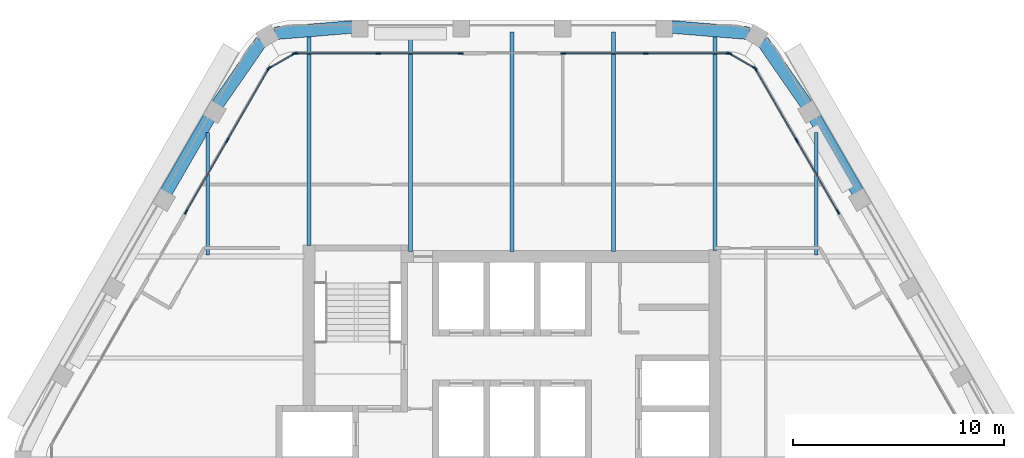
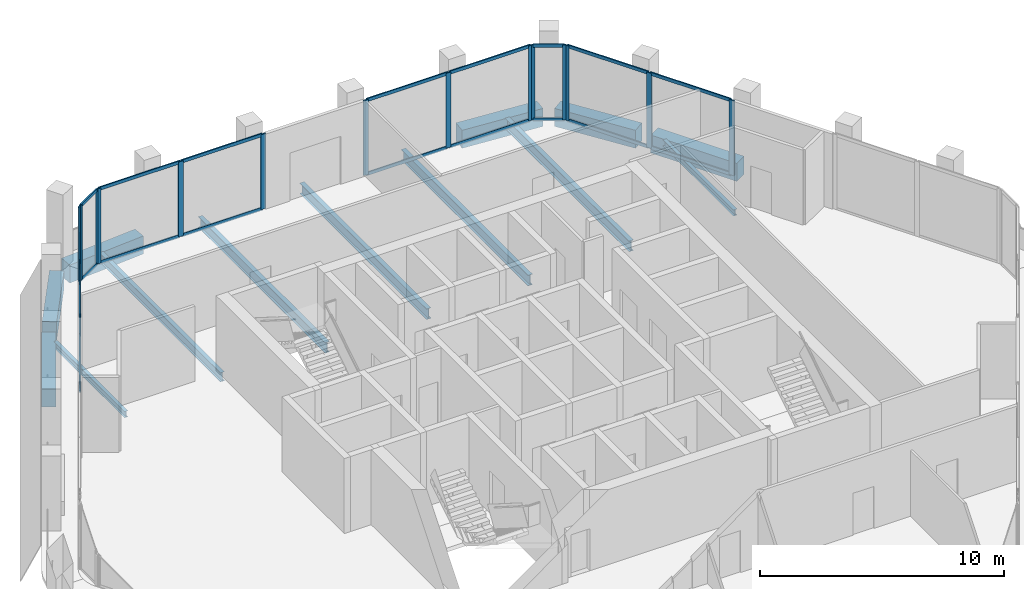
# One storey, part 5 of 13: 36 members, 13 beams, 6 elements without a shape of their own.
"""IFC4 building model written with IfcOpenShell, lengths in metres."""

from ifc_helpers import new_model, si_unit, direction, frame, origin, origin_2d, place, context, subcontext, project, spatial, rectangle, i_section, extrude, material, material_profile, profile_set, type_object, element, aggregate, save


model = new_model("IFC4")

# Units and contexts
model_context = context("Model", 3, precision=1e-05, world=origin(), true_north=direction((0.0, 1.0)))
body_context = subcontext(model_context, "Body", "Model", "MODEL_VIEW")
ifc_project = project(units=[si_unit("LENGTHUNIT", "METRE"), si_unit("AREAUNIT", "SQUARE_METRE"), si_unit("VOLUMEUNIT", "CUBIC_METRE"), si_unit("PLANEANGLEUNIT", "RADIAN"), si_unit("MASSUNIT", "GRAM", prefix="KILO")], contexts=[model_context])

# Site, building, storey
site_placement = place(None, origin())
site = spatial("IfcSite", under=ifc_project, at=site_placement, CompositionType="ELEMENT")
building_placement = place(site_placement, origin())
building = spatial("IfcBuilding", under=site, at=building_placement, Name="Kolab Exchange Tower", CompositionType="ELEMENT")
storey_placement = place(building_placement, frame((0.0, 0.0, 273.5)))
storey = spatial("IfcBuildingStorey", under=building, at=storey_placement, Name="L61", CompositionType="ELEMENT", Elevation=273.5)

# Beams
ifc_material_1 = material(Name="Steel S355", Category="steel")
ifc_material_profile_1 = material_profile(ifc_material_1, i_section(OverallWidth=0.1650390625, OverallDepth=0.31005859375, WebThickness=0.005859375, FlangeThickness=0.009765625, at=origin_2d()), Name="W310X39")
ifc_profile_set_1 = profile_set([ifc_material_profile_1], Name="Steel S355")
beam_type_1 = type_object("IfcBeamType", Name="FLOOR BEAM W310X39", PredefinedType="BEAM", material=ifc_profile_set_1)
for number, where, z_axis, x_axis, name in (
    (1, (-14.39990234375, 9.674072265625, -0.304931640625), (0.0, 1.0, 0.0), (-1.0, 0.0, 0.0), "beam/L61/fr/004"),
    (2, (14.39990234375, 9.674072265625, -0.304931640625), (0.0, 1.0, 0.0), (-1.0, 0.0, 0.0), "beam/L61/fr/019"),
):
    element("IfcBeam", number, at=place(storey_placement, frame(where, z_axis=z_axis, x_axis=x_axis)), inside=storey, type_object=beam_type_1, Name=name, PredefinedType="BEAM", context=body_context, shape_type="SweptSolid", body=[
        extrude(i_section(OverallWidth=0.1650390625, OverallDepth=0.31005859375, WebThickness=0.005859375, FlangeThickness=0.009765625, at=origin_2d()), origin(), (0.0, 0.0, 1.0), 5.793701171875),
    ])
ifc_material_profile_2 = material_profile(ifc_material_1, i_section(OverallWidth=0.18994140625, OverallDepth=0.45703125, WebThickness=0.009033203125, FlangeThickness=0.014404296875, at=origin_2d()), Name="W460X74")
ifc_profile_set_2 = profile_set([ifc_material_profile_2], Name="Steel S355")
beam_type_2 = type_object("IfcBeamType", Name="FLOOR BEAM W460X74", PredefinedType="BEAM", material=ifc_profile_set_2)
beam_1_placement = place(storey_placement, frame((-9.60009765625, 10.110107421875, -0.37841796875), z_axis=(0.0, 1.0, 0.0), x_axis=(-1.0, 0.0, 0.0)))
element("IfcBeam", 3, at=beam_1_placement, inside=storey, type_object=beam_type_2, Name="beam/L61/fr/006", PredefinedType="BEAM", context=body_context, shape_type="SweptSolid", body=[
    extrude(i_section(OverallWidth=0.18994140625, OverallDepth=0.45703125, WebThickness=0.009033203125, FlangeThickness=0.014404296875, at=origin_2d()), origin(), (0.0, 0.0, 1.0), 9.9169921875),
])
ifc_material_profile_3 = material_profile(ifc_material_1, i_section(OverallWidth=0.208984375, OverallDepth=0.532958984375, WebThickness=0.01025390625, FlangeThickness=0.015625, at=origin_2d()), Name="W530X92")
ifc_profile_set_3 = profile_set([ifc_material_profile_3], Name="Steel S355")
beam_type_3 = type_object("IfcBeamType", Name="FLOOR BEAM W530X92", PredefinedType="BEAM", material=ifc_profile_set_3)
for number, where, z_axis, x_axis, name in (
    (4, (-4.800048828125, 9.8349609375, -0.41650390625), (0.0, 1.0, 0.0), (-1.0, 0.0, 0.0), "beam/L61/fr/008"),
    (5, (0.0, 9.8349609375, -0.41650390625), (0.0, 1.0, 0.0), (-1.0, 0.0, 0.0), "beam/L61/fr/010"),
    (6, (4.800048828125, 9.8349609375, -0.41650390625), (0.0, 1.0, 0.0), (-1.0, 0.0, 0.0), "beam/L61/fr/012"),
):
    element("IfcBeam", number, at=place(storey_placement, frame(where, z_axis=z_axis, x_axis=x_axis)), inside=storey, type_object=beam_type_3, Name=name, PredefinedType="BEAM", context=body_context, shape_type="SweptSolid", body=[
        extrude(i_section(OverallWidth=0.208984375, OverallDepth=0.532958984375, WebThickness=0.01025390625, FlangeThickness=0.015625, at=origin_2d()), origin(), (0.0, 0.0, 1.0), 10.3896484375),
    ])
beam_2_placement = place(storey_placement, frame((9.60009765625, 9.885009765625, -0.41650390625), z_axis=(0.0, 1.0, 0.0), x_axis=(-1.0, 0.0, 0.0)))
element("IfcBeam", 7, at=beam_2_placement, inside=storey, type_object=beam_type_3, Name="beam/L61/fr/014", PredefinedType="BEAM", context=body_context, shape_type="SweptSolid", body=[
    extrude(i_section(OverallWidth=0.208984375, OverallDepth=0.532958984375, WebThickness=0.01025390625, FlangeThickness=0.015625, at=origin_2d()), origin(), (0.0, 0.0, 1.0), 10.14208984375),
])
ifc_material_2 = material(Name="Concrete C50/60", Category="concrete")
ifc_material_profile_4 = material_profile(ifc_material_2, rectangle(XDim=0.60009765625, YDim=0.89990234375, at=origin_2d()), Name="RC600X900")
ifc_profile_set_4 = profile_set([ifc_material_profile_4], Name="Concrete C50/60")
beam_type_4 = type_object("IfcBeamType", Name="SPANDREL BEAM 600X900 C50/60", PredefinedType="BEAM", material=ifc_profile_set_4)
for number, where, z_axis, x_axis, name in (
    (8, (-11.216796875, 20.15576171875, -0.60009765625), (0.996666751878, 0.081580547323, 0.0), (-0.081580547323, 0.996666751878, 0.0), "beam/L61/sp/F1-01"),
    (9, (7.56005859375, 20.455078125, -0.60009765625), (0.996666751878, -0.081580547323, 0.0), (0.081580547323, 0.996666751878, 0.0), "beam/L61/sp/F1-05"),
    (10, (11.846923828125, 19.7919921875, -0.60009765625), (0.569005808573, -0.822333502789, 0.0), (0.822333502789, 0.569005808573, 0.0), "beam/L61/sp/F2-01"),
):
    element("IfcBeam", number, at=place(storey_placement, frame(where, z_axis=z_axis, x_axis=x_axis)), inside=storey, type_object=beam_type_4, Name=name, PredefinedType="BEAM", context=body_context, shape_type="SweptSolid", body=[
        extrude(rectangle(XDim=0.60009765625, YDim=0.89990234375, at=origin_2d()), origin(), (0.0, 0.0, 1.0), 3.6689453125),
    ])
for number, where, z_axis, x_axis, name in (
    (11, (14.3203125, 16.166015625, -0.60009765625), (0.499955548806, -0.866051066172, 0.0), (0.866051066172, 0.499955548806, 0.0), "beam/L61/sp/F2-02"),
    (12, (-16.360107421875, 12.632568359375, -0.60009765625), (0.499955548806, 0.866051066172, 0.0), (-0.866051066172, 0.499955548806, 0.0), "beam/L61/sp/F6-04"),
):
    element("IfcBeam", number, at=place(storey_placement, frame(where, z_axis=z_axis, x_axis=x_axis)), inside=storey, type_object=beam_type_4, Name=name, PredefinedType="BEAM", context=body_context, shape_type="SweptSolid", body=[
        extrude(rectangle(XDim=0.60009765625, YDim=0.89990234375, at=origin_2d()), origin(), (0.0, 0.0, 1.0), 4.079833984375),
    ])
beam_3_placement = place(storey_placement, frame((-13.9345703125, 16.77490234375, -0.60009765625), z_axis=(0.569005808573, 0.822333502789, 0.0), x_axis=(-0.822333502789, 0.569005808573, 0.0)))
element("IfcBeam", 13, at=beam_3_placement, inside=storey, type_object=beam_type_4, Name="beam/L61/sp/F6-05", PredefinedType="BEAM", context=body_context, shape_type="SweptSolid", body=[
    extrude(rectangle(XDim=0.60009765625, YDim=0.89990234375, at=origin_2d()), origin(), (0.0, 0.0, 1.0), 3.6689453125),
])

# Curtain wall, members
ifc_material_3 = material(Name="Aluminium EN AW-6063 T6", Category="aluminium")
curtain_wall_type = type_object("IfcCurtainWallType", Name="UNITISED HIGH ZONE CURTAIN WALL", PredefinedType="NOTDEFINED", material=ifc_material_3)
curtain_wall_1_placement = place(storey_placement, origin())
curtain_wall_1 = element("IfcCurtainWall", 14, at=curtain_wall_1_placement, inside=storey, type_object=curtain_wall_type, Name="cw/L61/F1-1", PredefinedType="NOTDEFINED")
ifc_material_profile_5 = material_profile(ifc_material_3, rectangle(XDim=0.06005859375, YDim=0.239990234375, at=origin_2d()), Name="RECT 60X240")
ifc_profile_set_5 = profile_set([ifc_material_profile_5], Name="Aluminium EN AW-6063 T6")
member_type_1 = type_object("IfcMemberType", Name="UNITISED HIGH ZONE MULLION 60 X 240", PredefinedType="MULLION", material=ifc_profile_set_5)
member_1_placement = place(storey_placement, frame((-10.238037109375, 19.20458984375, 0.0), z_axis=(0.0, 0.0, 1.0), x_axis=(0.0, 1.0, 0.0)))
member_1 = element("IfcMember", 15, at=member_1_placement, type_object=member_type_1, Name="CW4 mullion 1", PredefinedType="MULLION", context=body_context, shape_type="SweptSolid", body=[
    extrude(rectangle(XDim=0.06005859375, YDim=0.239990234375, at=origin_2d()), origin(), (0.0, 0.0, 1.0), 3.75),
])
member_2_placement = place(storey_placement, frame((-6.333984375, 19.20458984375, 0.0), z_axis=(0.0, 0.0, 1.0), x_axis=(0.0, 1.0, 0.0)))
member_2 = element("IfcMember", 16, at=member_2_placement, type_object=member_type_1, Name="CW4 mullion 2", PredefinedType="MULLION", context=body_context, shape_type="SweptSolid", body=[
    extrude(rectangle(XDim=0.06005859375, YDim=0.239990234375, at=origin_2d()), origin(), (0.0, 0.0, 1.0), 3.75),
])
member_3_placement = place(storey_placement, frame((-2.429931640625, 19.20458984375, 0.0), z_axis=(0.0, 0.0, 1.0), x_axis=(0.0, 1.0, 0.0)))
member_3 = element("IfcMember", 17, at=member_3_placement, type_object=member_type_1, Name="CW4 mullion 3", PredefinedType="MULLION", context=body_context, shape_type="SweptSolid", body=[
    extrude(rectangle(XDim=0.06005859375, YDim=0.239990234375, at=origin_2d()), origin(), (0.0, 0.0, 1.0), 3.75),
])

curtain_wall_2_placement = place(storey_placement, origin())
curtain_wall_2 = element("IfcCurtainWall", 18, at=curtain_wall_2_placement, inside=storey, type_object=curtain_wall_type, Name="cw/L61/F1-2", PredefinedType="NOTDEFINED")
member_4_placement = place(storey_placement, frame((2.429931640625, 19.20458984375, 0.0), z_axis=(0.0, 0.0, 1.0), x_axis=(0.0, 1.0, 0.0)))
member_4 = element("IfcMember", 19, at=member_4_placement, type_object=member_type_1, Name="CW4 mullion 1", PredefinedType="MULLION", context=body_context, shape_type="SweptSolid", body=[
    extrude(rectangle(XDim=0.06005859375, YDim=0.239990234375, at=origin_2d()), origin(), (0.0, 0.0, 1.0), 3.75),
])
member_5_placement = place(storey_placement, frame((6.333984375, 19.20458984375, 0.0), z_axis=(0.0, 0.0, 1.0), x_axis=(0.0, 1.0, 0.0)))
member_5 = element("IfcMember", 20, at=member_5_placement, type_object=member_type_1, Name="CW4 mullion 2", PredefinedType="MULLION", context=body_context, shape_type="SweptSolid", body=[
    extrude(rectangle(XDim=0.06005859375, YDim=0.239990234375, at=origin_2d()), origin(), (0.0, 0.0, 1.0), 3.75),
])
member_6_placement = place(storey_placement, frame((10.238037109375, 19.20458984375, 0.0), z_axis=(0.0, 0.0, 1.0), x_axis=(0.0, 1.0, 0.0)))
member_6 = element("IfcMember", 21, at=member_6_placement, type_object=member_type_1, Name="CW4 mullion 3", PredefinedType="MULLION", context=body_context, shape_type="SweptSolid", body=[
    extrude(rectangle(XDim=0.06005859375, YDim=0.239990234375, at=origin_2d()), origin(), (0.0, 0.0, 1.0), 3.75),
])

curtain_wall_3_placement = place(storey_placement, origin())
curtain_wall_3 = element("IfcCurtainWall", 22, at=curtain_wall_3_placement, inside=storey, type_object=curtain_wall_type, Name="cw/L61/F2-1", PredefinedType="NOTDEFINED")
member_7_placement = place(storey_placement, frame((11.5126953125, 18.46875, 0.0), z_axis=(0.0, 0.0, 1.0), x_axis=(0.866025385493, 0.500000031681, 0.0)))
member_7 = element("IfcMember", 23, at=member_7_placement, type_object=member_type_1, Name="CW4 mullion 1", PredefinedType="MULLION", context=body_context, shape_type="SweptSolid", body=[
    extrude(rectangle(XDim=0.06005859375, YDim=0.239990234375, at=origin_2d()), origin(), (0.0, 0.0, 1.0), 3.75),
])
member_8_placement = place(storey_placement, frame((13.464599609375, 15.087646484375, 0.0), z_axis=(0.0, 0.0, 1.0), x_axis=(0.866025385493, 0.500000031681, 0.0)))
member_8 = element("IfcMember", 24, at=member_8_placement, type_object=member_type_1, Name="CW4 mullion 2", PredefinedType="MULLION", context=body_context, shape_type="SweptSolid", body=[
    extrude(rectangle(XDim=0.06005859375, YDim=0.239990234375, at=origin_2d()), origin(), (0.0, 0.0, 1.0), 3.75),
])
member_9_placement = place(storey_placement, frame((15.416748046875, 11.706787109375, 0.0), z_axis=(0.0, 0.0, 1.0), x_axis=(0.866025385493, 0.500000031681, 0.0)))
member_9 = element("IfcMember", 25, at=member_9_placement, type_object=member_type_1, Name="CW4 mullion 3", PredefinedType="MULLION", context=body_context, shape_type="SweptSolid", body=[
    extrude(rectangle(XDim=0.06005859375, YDim=0.239990234375, at=origin_2d()), origin(), (0.0, 0.0, 1.0), 3.75),
])

curtain_wall_4_placement = place(storey_placement, origin())
curtain_wall_4 = element("IfcCurtainWall", 26, at=curtain_wall_4_placement, inside=storey, type_object=curtain_wall_type, Name="cw/L61/F6-2", PredefinedType="NOTDEFINED")
member_10_placement = place(storey_placement, frame((-15.416748046875, 11.706787109375, 0.0), z_axis=(0.0, 0.0, 1.0), x_axis=(-0.866025385493, 0.500000031681, 0.0)))
member_10 = element("IfcMember", 27, at=member_10_placement, type_object=member_type_1, Name="CW4 mullion 1", PredefinedType="MULLION", context=body_context, shape_type="SweptSolid", body=[
    extrude(rectangle(XDim=0.06005859375, YDim=0.239990234375, at=origin_2d()), origin(), (0.0, 0.0, 1.0), 3.75),
])
member_11_placement = place(storey_placement, frame((-13.464599609375, 15.087646484375, 0.0), z_axis=(0.0, 0.0, 1.0), x_axis=(-0.866025385493, 0.500000031681, 0.0)))
member_11 = element("IfcMember", 28, at=member_11_placement, type_object=member_type_1, Name="CW4 mullion 2", PredefinedType="MULLION", context=body_context, shape_type="SweptSolid", body=[
    extrude(rectangle(XDim=0.06005859375, YDim=0.239990234375, at=origin_2d()), origin(), (0.0, 0.0, 1.0), 3.75),
])
member_12_placement = place(storey_placement, frame((-11.5126953125, 18.46875, 0.0), z_axis=(0.0, 0.0, 1.0), x_axis=(-0.866025385493, 0.500000031681, 0.0)))
member_12 = element("IfcMember", 29, at=member_12_placement, type_object=member_type_1, Name="CW4 mullion 3", PredefinedType="MULLION", context=body_context, shape_type="SweptSolid", body=[
    extrude(rectangle(XDim=0.06005859375, YDim=0.239990234375, at=origin_2d()), origin(), (0.0, 0.0, 1.0), 3.75),
])

curtain_wall_5_placement = place(storey_placement, origin())
curtain_wall_5 = element("IfcCurtainWall", 30, at=curtain_wall_5_placement, inside=storey, type_object=curtain_wall_type, Name="cw/L61/F1F2-corner", PredefinedType="NOTDEFINED")
member_13_placement = place(storey_placement, frame((10.2939453125, 19.189697265625, 0.0), z_axis=(0.0, 0.0, 1.0), x_axis=(0.50000002237, 0.866025390869, 0.0)))
member_13 = element("IfcMember", 31, at=member_13_placement, type_object=member_type_1, Name="CW4 mullion 1", PredefinedType="MULLION", context=body_context, shape_type="SweptSolid", body=[
    extrude(rectangle(XDim=0.06005859375, YDim=0.239990234375, at=origin_2d()), origin(), (0.0, 0.0, 1.0), 3.75),
])
member_14_placement = place(storey_placement, frame((11.4716796875, 18.509521484375, 0.0), z_axis=(0.0, 0.0, 1.0), x_axis=(0.50000002237, 0.866025390869, 0.0)))
member_14 = element("IfcMember", 32, at=member_14_placement, type_object=member_type_1, Name="CW4 mullion 2", PredefinedType="MULLION", context=body_context, shape_type="SweptSolid", body=[
    extrude(rectangle(XDim=0.06005859375, YDim=0.239990234375, at=origin_2d()), origin(), (0.0, 0.0, 1.0), 3.75),
])

curtain_wall_6_placement = place(storey_placement, origin())
curtain_wall_6 = element("IfcCurtainWall", 33, at=curtain_wall_6_placement, inside=storey, type_object=curtain_wall_type, Name="cw/L61/F6F1-corner", PredefinedType="NOTDEFINED")
member_15_placement = place(storey_placement, frame((-11.4716796875, 18.509521484375, 0.0), z_axis=(0.0, 0.0, 1.0), x_axis=(-0.50000002237, 0.866025390869, 0.0)))
member_15 = element("IfcMember", 34, at=member_15_placement, type_object=member_type_1, Name="CW4 mullion 1", PredefinedType="MULLION", context=body_context, shape_type="SweptSolid", body=[
    extrude(rectangle(XDim=0.06005859375, YDim=0.239990234375, at=origin_2d()), origin(), (0.0, 0.0, 1.0), 3.75),
])
member_16_placement = place(storey_placement, frame((-10.2939453125, 19.189697265625, 0.0), z_axis=(0.0, 0.0, 1.0), x_axis=(-0.50000002237, 0.866025390869, 0.0)))
member_16 = element("IfcMember", 35, at=member_16_placement, type_object=member_type_1, Name="CW4 mullion 2", PredefinedType="MULLION", context=body_context, shape_type="SweptSolid", body=[
    extrude(rectangle(XDim=0.06005859375, YDim=0.239990234375, at=origin_2d()), origin(), (0.0, 0.0, 1.0), 3.75),
])

# Member
ifc_material_profile_6 = material_profile(ifc_material_3, rectangle(XDim=0.06005859375, YDim=0.159912109375, at=origin_2d()), Name="RECT 60X160")
ifc_profile_set_6 = profile_set([ifc_material_profile_6], Name="Aluminium EN AW-6063 T6")
member_type_2 = type_object("IfcMemberType", Name="UNITISED HIGH ZONE TRANSOM 60 X 160", PredefinedType="USERDEFINED", material=ifc_profile_set_6)
member_17_placement = place(storey_placement, frame((-10.2080078125, 19.20458984375, 0.030029296875), z_axis=(1.0, 0.0, 0.0), x_axis=(0.0, 1.0, 0.0)))
member_17 = element("IfcMember", 36, at=member_17_placement, type_object=member_type_2, Name="CW4 transom 1.1", ObjectType="TRANSOM", PredefinedType="USERDEFINED", context=body_context, shape_type="SweptSolid", body=[
    extrude(rectangle(XDim=0.06005859375, YDim=0.159912109375, at=origin_2d()), origin(), (0.0, 0.0, 1.0), 3.843994140625),
])

member_18_placement = place(storey_placement, frame((-10.2080078125, 19.20458984375, 3.719970703125), z_axis=(1.0, 0.0, 0.0), x_axis=(0.0, 1.0, 0.0)))
member_18 = element("IfcMember", 37, at=member_18_placement, type_object=member_type_2, Name="CW4 transom 1.2", ObjectType="TRANSOM", PredefinedType="USERDEFINED", context=body_context, shape_type="SweptSolid", body=[
    extrude(rectangle(XDim=0.06005859375, YDim=0.159912109375, at=origin_2d()), origin(), (0.0, 0.0, 1.0), 3.843994140625),
])

member_19_placement = place(storey_placement, frame((-6.303955078125, 19.20458984375, 0.030029296875), z_axis=(1.0, 0.0, 0.0), x_axis=(0.0, 1.0, 0.0)))
member_19 = element("IfcMember", 38, at=member_19_placement, type_object=member_type_2, Name="CW4 transom 2.1", ObjectType="TRANSOM", PredefinedType="USERDEFINED", context=body_context, shape_type="SweptSolid", body=[
    extrude(rectangle(XDim=0.06005859375, YDim=0.159912109375, at=origin_2d()), origin(), (0.0, 0.0, 1.0), 3.843994140625),
])

member_20_placement = place(storey_placement, frame((-6.303955078125, 19.20458984375, 3.719970703125), z_axis=(1.0, 0.0, 0.0), x_axis=(0.0, 1.0, 0.0)))
member_20 = element("IfcMember", 39, at=member_20_placement, type_object=member_type_2, Name="CW4 transom 2.2", ObjectType="TRANSOM", PredefinedType="USERDEFINED", context=body_context, shape_type="SweptSolid", body=[
    extrude(rectangle(XDim=0.06005859375, YDim=0.159912109375, at=origin_2d()), origin(), (0.0, 0.0, 1.0), 3.843994140625),
])

aggregate(curtain_wall_1, [member_1, member_2, member_3, member_17, member_18, member_19, member_20])

member_21_placement = place(storey_placement, frame((2.4599609375, 19.20458984375, 0.030029296875), z_axis=(1.0, 0.0, 0.0), x_axis=(0.0, 1.0, 0.0)))
member_21 = element("IfcMember", 40, at=member_21_placement, type_object=member_type_2, Name="CW4 transom 1.1", ObjectType="TRANSOM", PredefinedType="USERDEFINED", context=body_context, shape_type="SweptSolid", body=[
    extrude(rectangle(XDim=0.06005859375, YDim=0.159912109375, at=origin_2d()), origin(), (0.0, 0.0, 1.0), 3.843994140625),
])

member_22_placement = place(storey_placement, frame((2.4599609375, 19.20458984375, 3.719970703125), z_axis=(1.0, 0.0, 0.0), x_axis=(0.0, 1.0, 0.0)))
member_22 = element("IfcMember", 41, at=member_22_placement, type_object=member_type_2, Name="CW4 transom 1.2", ObjectType="TRANSOM", PredefinedType="USERDEFINED", context=body_context, shape_type="SweptSolid", body=[
    extrude(rectangle(XDim=0.06005859375, YDim=0.159912109375, at=origin_2d()), origin(), (0.0, 0.0, 1.0), 3.843994140625),
])

member_23_placement = place(storey_placement, frame((6.364013671875, 19.20458984375, 0.030029296875), z_axis=(1.0, 0.0, 0.0), x_axis=(0.0, 1.0, 0.0)))
member_23 = element("IfcMember", 42, at=member_23_placement, type_object=member_type_2, Name="CW4 transom 2.1", ObjectType="TRANSOM", PredefinedType="USERDEFINED", context=body_context, shape_type="SweptSolid", body=[
    extrude(rectangle(XDim=0.06005859375, YDim=0.159912109375, at=origin_2d()), origin(), (0.0, 0.0, 1.0), 3.843994140625),
])

member_24_placement = place(storey_placement, frame((6.364013671875, 19.20458984375, 3.719970703125), z_axis=(1.0, 0.0, 0.0), x_axis=(0.0, 1.0, 0.0)))
member_24 = element("IfcMember", 43, at=member_24_placement, type_object=member_type_2, Name="CW4 transom 2.2", ObjectType="TRANSOM", PredefinedType="USERDEFINED", context=body_context, shape_type="SweptSolid", body=[
    extrude(rectangle(XDim=0.06005859375, YDim=0.159912109375, at=origin_2d()), origin(), (0.0, 0.0, 1.0), 3.843994140625),
])

aggregate(curtain_wall_2, [member_4, member_5, member_6, member_21, member_22, member_23, member_24])

member_25_placement = place(storey_placement, frame((11.527587890625, 18.442626953125, 0.030029296875), z_axis=(0.500039492609, -0.866002601515, 0.0), x_axis=(0.866002601515, 0.500039492609, 0.0)))
member_25 = element("IfcMember", 44, at=member_25_placement, type_object=member_type_2, Name="CW4 transom 1.1", ObjectType="TRANSOM", PredefinedType="USERDEFINED", context=body_context, shape_type="SweptSolid", body=[
    extrude(rectangle(XDim=0.06005859375, YDim=0.159912109375, at=origin_2d()), origin(), (0.0, 0.0, 1.0), 3.843994140625),
])

member_26_placement = place(storey_placement, frame((11.527587890625, 18.442626953125, 3.719970703125), z_axis=(0.500039492609, -0.866002601515, 0.0), x_axis=(0.866002601515, 0.500039492609, 0.0)))
member_26 = element("IfcMember", 45, at=member_26_placement, type_object=member_type_2, Name="CW4 transom 1.2", ObjectType="TRANSOM", PredefinedType="USERDEFINED", context=body_context, shape_type="SweptSolid", body=[
    extrude(rectangle(XDim=0.06005859375, YDim=0.159912109375, at=origin_2d()), origin(), (0.0, 0.0, 1.0), 3.843994140625),
])

member_27_placement = place(storey_placement, frame((13.479736328125, 15.061767578125, 0.030029296875), z_axis=(0.499964356602, -0.866045981532, 0.0), x_axis=(0.866045981532, 0.499964356602, 0.0)))
member_27 = element("IfcMember", 46, at=member_27_placement, type_object=member_type_2, Name="CW4 transom 2.1", ObjectType="TRANSOM", PredefinedType="USERDEFINED", context=body_context, shape_type="SweptSolid", body=[
    extrude(rectangle(XDim=0.06005859375, YDim=0.159912109375, at=origin_2d()), origin(), (0.0, 0.0, 1.0), 3.843994140625),
])

member_28_placement = place(storey_placement, frame((13.479736328125, 15.061767578125, 3.719970703125), z_axis=(0.499964356602, -0.866045981532, 0.0), x_axis=(0.866045981532, 0.499964356602, 0.0)))
member_28 = element("IfcMember", 47, at=member_28_placement, type_object=member_type_2, Name="CW4 transom 2.2", ObjectType="TRANSOM", PredefinedType="USERDEFINED", context=body_context, shape_type="SweptSolid", body=[
    extrude(rectangle(XDim=0.06005859375, YDim=0.159912109375, at=origin_2d()), origin(), (0.0, 0.0, 1.0), 3.843994140625),
])

aggregate(curtain_wall_3, [member_7, member_8, member_9, member_25, member_26, member_27, member_28])

member_29_placement = place(storey_placement, frame((-15.401611328125, 11.732666015625, 0.030029296875), z_axis=(0.499964356602, 0.866045981532, 0.0), x_axis=(-0.866045981532, 0.499964356602, 0.0)))
member_29 = element("IfcMember", 48, at=member_29_placement, type_object=member_type_2, Name="CW4 transom 1.1", ObjectType="TRANSOM", PredefinedType="USERDEFINED", context=body_context, shape_type="SweptSolid", body=[
    extrude(rectangle(XDim=0.06005859375, YDim=0.159912109375, at=origin_2d()), origin(), (0.0, 0.0, 1.0), 3.843994140625),
])

member_30_placement = place(storey_placement, frame((-15.401611328125, 11.732666015625, 3.719970703125), z_axis=(0.499964356602, 0.866045981532, 0.0), x_axis=(-0.866045981532, 0.499964356602, 0.0)))
member_30 = element("IfcMember", 49, at=member_30_placement, type_object=member_type_2, Name="CW4 transom 1.2", ObjectType="TRANSOM", PredefinedType="USERDEFINED", context=body_context, shape_type="SweptSolid", body=[
    extrude(rectangle(XDim=0.06005859375, YDim=0.159912109375, at=origin_2d()), origin(), (0.0, 0.0, 1.0), 3.843994140625),
])

member_31_placement = place(storey_placement, frame((-13.44970703125, 15.11376953125, 0.030029296875), z_axis=(0.500039492609, 0.866002601515, 0.0), x_axis=(-0.866002601515, 0.500039492609, 0.0)))
member_31 = element("IfcMember", 50, at=member_31_placement, type_object=member_type_2, Name="CW4 transom 2.1", ObjectType="TRANSOM", PredefinedType="USERDEFINED", context=body_context, shape_type="SweptSolid", body=[
    extrude(rectangle(XDim=0.06005859375, YDim=0.159912109375, at=origin_2d()), origin(), (0.0, 0.0, 1.0), 3.843994140625),
])

member_32_placement = place(storey_placement, frame((-13.44970703125, 15.11376953125, 3.719970703125), z_axis=(0.500039492609, 0.866002601515, 0.0), x_axis=(-0.866002601515, 0.500039492609, 0.0)))
member_32 = element("IfcMember", 51, at=member_32_placement, type_object=member_type_2, Name="CW4 transom 2.2", ObjectType="TRANSOM", PredefinedType="USERDEFINED", context=body_context, shape_type="SweptSolid", body=[
    extrude(rectangle(XDim=0.06005859375, YDim=0.159912109375, at=origin_2d()), origin(), (0.0, 0.0, 1.0), 3.843994140625),
])

aggregate(curtain_wall_4, [member_10, member_11, member_12, member_29, member_30, member_31, member_32])

member_33_placement = place(storey_placement, frame((10.31982421875, 19.174560546875, 0.030029296875), z_axis=(0.866085525409, -0.49989585183, 0.0), x_axis=(0.49989585183, 0.866085525409, 0.0)))
member_33 = element("IfcMember", 52, at=member_33_placement, type_object=member_type_2, Name="CW4 transom 1.1", ObjectType="TRANSOM", PredefinedType="USERDEFINED", context=body_context, shape_type="SweptSolid", body=[
    extrude(rectangle(XDim=0.06005859375, YDim=0.159912109375, at=origin_2d()), origin(), (0.0, 0.0, 1.0), 1.300048828125),
])

member_34_placement = place(storey_placement, frame((10.31982421875, 19.174560546875, 3.719970703125), z_axis=(0.866085525409, -0.49989585183, 0.0), x_axis=(0.49989585183, 0.866085525409, 0.0)))
member_34 = element("IfcMember", 53, at=member_34_placement, type_object=member_type_2, Name="CW4 transom 1.2", ObjectType="TRANSOM", PredefinedType="USERDEFINED", context=body_context, shape_type="SweptSolid", body=[
    extrude(rectangle(XDim=0.06005859375, YDim=0.159912109375, at=origin_2d()), origin(), (0.0, 0.0, 1.0), 1.300048828125),
])

aggregate(curtain_wall_5, [member_13, member_14, member_33, member_34])

member_35_placement = place(storey_placement, frame((-11.44580078125, 18.524658203125, 0.030029296875), z_axis=(0.866085525409, 0.49989585183, 0.0), x_axis=(-0.49989585183, 0.866085525409, 0.0)))
member_35 = element("IfcMember", 54, at=member_35_placement, type_object=member_type_2, Name="CW4 transom 1.1", ObjectType="TRANSOM", PredefinedType="USERDEFINED", context=body_context, shape_type="SweptSolid", body=[
    extrude(rectangle(XDim=0.06005859375, YDim=0.159912109375, at=origin_2d()), origin(), (0.0, 0.0, 1.0), 1.300048828125),
])

member_36_placement = place(storey_placement, frame((-11.44580078125, 18.524658203125, 3.719970703125), z_axis=(0.866085525409, 0.49989585183, 0.0), x_axis=(-0.49989585183, 0.866085525409, 0.0)))
member_36 = element("IfcMember", 55, at=member_36_placement, type_object=member_type_2, Name="CW4 transom 1.2", ObjectType="TRANSOM", PredefinedType="USERDEFINED", context=body_context, shape_type="SweptSolid", body=[
    extrude(rectangle(XDim=0.06005859375, YDim=0.159912109375, at=origin_2d()), origin(), (0.0, 0.0, 1.0), 1.300048828125),
])

aggregate(curtain_wall_6, [member_15, member_16, member_35, member_36])

save(model, "model.ifc")
